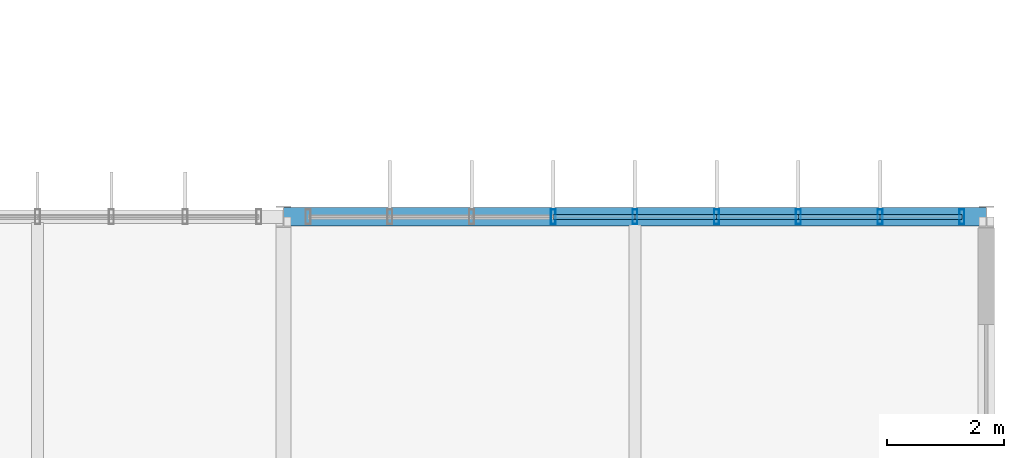
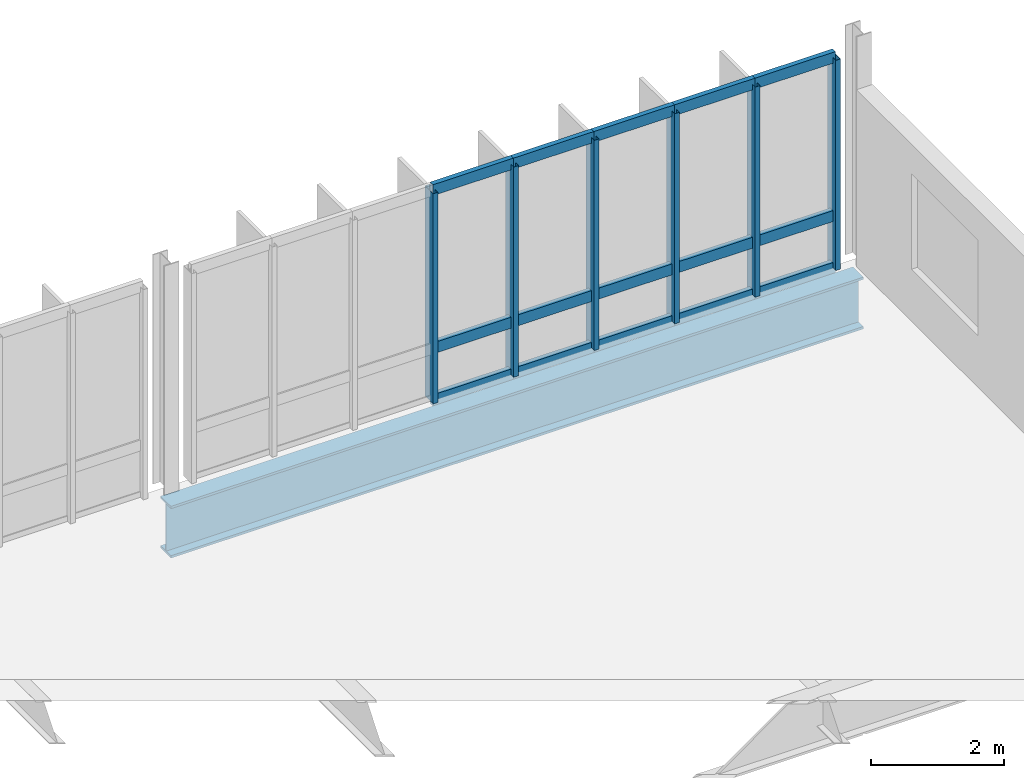
# One storey, part 70 of 107: 21 members, 1 beam, 1 element without a shape of its own.
"""IFC4 building model written with IfcOpenShell, lengths in metres."""

from ifc_helpers import new_model, si_unit, derived_unit, direction, frame, origin, origin_2d, place, context, subcontext, project, spatial, hollow_rectangle, i_section, extrude, material, layer, layer_set, material_profile, profile_set, type_object, element, aggregate, save


model = new_model("IFC4")

# Units and contexts
model_context = context("Model", 3, precision=1e-05, world=origin(), true_north=direction((0.0, 1.0)))
body_context = subcontext(model_context, "Body", "Model", "MODEL_VIEW")
ifc_project = project(units=[si_unit("LENGTHUNIT", "METRE"), si_unit("AREAUNIT", "SQUARE_METRE"), si_unit("VOLUMEUNIT", "CUBIC_METRE"), si_unit("PLANEANGLEUNIT", "RADIAN"), si_unit("MASSUNIT", "GRAM", prefix="KILO"), derived_unit("THERMALTRANSMITTANCEUNIT", [(si_unit("MASSUNIT", "GRAM", prefix="KILO"), 1), (si_unit("TIMEUNIT", "SECOND"), -3), (si_unit("THERMODYNAMICTEMPERATUREUNIT", "KELVIN"), -1)])], contexts=[model_context])

# Site, building, storey
site_placement = place(None, origin())
site = spatial("IfcSite", under=ifc_project, at=site_placement, CompositionType="ELEMENT")
building_placement = place(site_placement, origin())
building = spatial("IfcBuilding", under=site, at=building_placement, Name="Makaiwela Harbour Ferry Terminal", CompositionType="ELEMENT")
storey_placement = place(building_placement, frame((0.0, 0.0, 9.60009765625)))
storey = spatial("IfcBuildingStorey", under=building, at=storey_placement, Name="L02", CompositionType="ELEMENT", Elevation=9.60009765625)

# Curtain wall, members
ifc_material_1 = material(Name="Marine anodised aluminium 6063-T6", Category="aluminium")
ifc_layer = layer(ifc_material_1, 0.199951171875)
ifc_layer_set = layer_set([ifc_layer], Name="Marine anodised aluminium 6063-T6")
curtain_wall_type = type_object("IfcCurtainWallType", Name="ENV-CW-18", PredefinedType="USERDEFINED", material=ifc_layer_set)
curtain_wall_placement = place(storey_placement, origin())
curtain_wall = element("IfcCurtainWall", 1, at=curtain_wall_placement, inside=storey, type_object=curtain_wall_type, Name="Unitised Curtain Wall CWA-130", ObjectType="UNITIZED CURTAIN WALL", PredefinedType="USERDEFINED")
ifc_material_profile_1 = material_profile(ifc_material_1, hollow_rectangle(XDim=0.0849609375, YDim=0.25, WallThickness=0.0048828125, at=origin_2d()), Name="CWM-250X85")
ifc_profile_set_1 = profile_set([ifc_material_profile_1], Name="Marine anodised aluminium 6063-T6")
member_type_1 = type_object("IfcMemberType", Name="CW-MUL-250", PredefinedType="MULLION", material=ifc_profile_set_1)
member_1_placement = place(storey_placement, frame((160.0048828125, 95.0, 0.0), z_axis=(0.0, 0.0, 1.0), x_axis=(1.0, 0.0, 0.0)))
member_1 = element("IfcMember", 2, at=member_1_placement, type_object=member_type_1, Name="Curtain Wall Mullion CWA-130-4", PredefinedType="MULLION", context=body_context, shape_type="SweptSolid", body=[
    extrude(hollow_rectangle(XDim=0.0849609375, YDim=0.25, WallThickness=0.0048828125, at=origin_2d()), origin(), (0.0, 0.0, 1.0), 3.849853515625),
])
member_2_placement = place(storey_placement, frame((161.39990234375, 95.0, 0.0), z_axis=(0.0, 0.0, 1.0), x_axis=(1.0, 0.0, 0.0)))
member_2 = element("IfcMember", 3, at=member_2_placement, type_object=member_type_1, Name="Curtain Wall Mullion CWA-130-5", PredefinedType="MULLION", context=body_context, shape_type="SweptSolid", body=[
    extrude(hollow_rectangle(XDim=0.0849609375, YDim=0.25, WallThickness=0.0048828125, at=origin_2d()), origin(), (0.0, 0.0, 1.0), 3.849853515625),
])
member_3_placement = place(storey_placement, frame((162.794921875, 95.0, 0.0), z_axis=(0.0, 0.0, 1.0), x_axis=(1.0, 0.0, 0.0)))
member_3 = element("IfcMember", 4, at=member_3_placement, type_object=member_type_1, Name="Curtain Wall Mullion CWA-130-6", PredefinedType="MULLION", context=body_context, shape_type="SweptSolid", body=[
    extrude(hollow_rectangle(XDim=0.0849609375, YDim=0.25, WallThickness=0.0048828125, at=origin_2d()), origin(), (0.0, 0.0, 1.0), 3.849853515625),
])
member_4_placement = place(storey_placement, frame((164.18994140625, 95.0, 0.0), z_axis=(0.0, 0.0, 1.0), x_axis=(1.0, 0.0, 0.0)))
member_4 = element("IfcMember", 5, at=member_4_placement, type_object=member_type_1, Name="Curtain Wall Mullion CWA-130-7", PredefinedType="MULLION", context=body_context, shape_type="SweptSolid", body=[
    extrude(hollow_rectangle(XDim=0.0849609375, YDim=0.25, WallThickness=0.0048828125, at=origin_2d()), origin(), (0.0, 0.0, 1.0), 3.849853515625),
])
member_5_placement = place(storey_placement, frame((165.5849609375, 95.0, 0.0), z_axis=(0.0, 0.0, 1.0), x_axis=(1.0, 0.0, 0.0)))
member_5 = element("IfcMember", 6, at=member_5_placement, type_object=member_type_1, Name="Curtain Wall Mullion CWA-130-8", PredefinedType="MULLION", context=body_context, shape_type="SweptSolid", body=[
    extrude(hollow_rectangle(XDim=0.0849609375, YDim=0.25, WallThickness=0.0048828125, at=origin_2d()), origin(), (0.0, 0.0, 1.0), 3.849853515625),
])
member_6_placement = place(storey_placement, frame((166.97998046875, 95.0, 0.0), z_axis=(0.0, 0.0, 1.0), x_axis=(1.0, 0.0, 0.0)))
member_6 = element("IfcMember", 7, at=member_6_placement, type_object=member_type_1, Name="Curtain Wall Mullion CWA-130-9", PredefinedType="MULLION", context=body_context, shape_type="SweptSolid", body=[
    extrude(hollow_rectangle(XDim=0.0849609375, YDim=0.25, WallThickness=0.0048828125, at=origin_2d()), origin(), (0.0, 0.0, 1.0), 3.849853515625),
])
ifc_material_profile_2 = material_profile(ifc_material_1, hollow_rectangle(XDim=0.0849609375, YDim=0.199951171875, WallThickness=0.0048828125, at=origin_2d()), Name="CWT-200X85")
ifc_profile_set_2 = profile_set([ifc_material_profile_2], Name="Marine anodised aluminium 6063-T6")
member_type_2 = type_object("IfcMemberType", Name="CW-TRN-200", PredefinedType="USERDEFINED", material=ifc_profile_set_2)
member_7_placement = place(storey_placement, frame((160.0048828125, 95.0, 0.0), z_axis=(1.0, 0.0, 0.0), x_axis=(0.0, 1.0, 0.0)))
member_7 = element("IfcMember", 8, at=member_7_placement, type_object=member_type_2, Name="Curtain Wall Transom CWA-130-4-1", ObjectType="TRANSOM", PredefinedType="USERDEFINED", context=body_context, shape_type="SweptSolid", body=[
    extrude(hollow_rectangle(XDim=0.0849609375, YDim=0.199951171875, WallThickness=0.0048828125, at=origin_2d()), origin(), (0.0, 0.0, 1.0), 1.39501953125),
])
member_8_placement = place(storey_placement, frame((160.0048828125, 95.0, 0.949951171875), z_axis=(1.0, 0.0, 0.0), x_axis=(0.0, 1.0, 0.0)))
member_8 = element("IfcMember", 9, at=member_8_placement, type_object=member_type_2, Name="Curtain Wall Transom CWA-130-4-2", ObjectType="TRANSOM", PredefinedType="USERDEFINED", context=body_context, shape_type="SweptSolid", body=[
    extrude(hollow_rectangle(XDim=0.0849609375, YDim=0.199951171875, WallThickness=0.0048828125, at=origin_2d()), origin(), (0.0, 0.0, 1.0), 1.39501953125),
])
member_9_placement = place(storey_placement, frame((160.0048828125, 95.0, 3.849853515625), z_axis=(1.0, 0.0, 0.0), x_axis=(0.0, 1.0, 0.0)))
member_9 = element("IfcMember", 10, at=member_9_placement, type_object=member_type_2, Name="Curtain Wall Transom CWA-130-4-3", ObjectType="TRANSOM", PredefinedType="USERDEFINED", context=body_context, shape_type="SweptSolid", body=[
    extrude(hollow_rectangle(XDim=0.0849609375, YDim=0.199951171875, WallThickness=0.0048828125, at=origin_2d()), origin(), (0.0, 0.0, 1.0), 1.39501953125),
])
member_10_placement = place(storey_placement, frame((161.39990234375, 95.0, 0.0), z_axis=(1.0, 0.0, 0.0), x_axis=(0.0, 1.0, 0.0)))
member_10 = element("IfcMember", 11, at=member_10_placement, type_object=member_type_2, Name="Curtain Wall Transom CWA-130-5-1", ObjectType="TRANSOM", PredefinedType="USERDEFINED", context=body_context, shape_type="SweptSolid", body=[
    extrude(hollow_rectangle(XDim=0.0849609375, YDim=0.199951171875, WallThickness=0.0048828125, at=origin_2d()), origin(), (0.0, 0.0, 1.0), 1.39501953125),
])
member_11_placement = place(storey_placement, frame((161.39990234375, 95.0, 0.949951171875), z_axis=(1.0, 0.0, 0.0), x_axis=(0.0, 1.0, 0.0)))
member_11 = element("IfcMember", 12, at=member_11_placement, type_object=member_type_2, Name="Curtain Wall Transom CWA-130-5-2", ObjectType="TRANSOM", PredefinedType="USERDEFINED", context=body_context, shape_type="SweptSolid", body=[
    extrude(hollow_rectangle(XDim=0.0849609375, YDim=0.199951171875, WallThickness=0.0048828125, at=origin_2d()), origin(), (0.0, 0.0, 1.0), 1.39501953125),
])
member_12_placement = place(storey_placement, frame((161.39990234375, 95.0, 3.849853515625), z_axis=(1.0, 0.0, 0.0), x_axis=(0.0, 1.0, 0.0)))
member_12 = element("IfcMember", 13, at=member_12_placement, type_object=member_type_2, Name="Curtain Wall Transom CWA-130-5-3", ObjectType="TRANSOM", PredefinedType="USERDEFINED", context=body_context, shape_type="SweptSolid", body=[
    extrude(hollow_rectangle(XDim=0.0849609375, YDim=0.199951171875, WallThickness=0.0048828125, at=origin_2d()), origin(), (0.0, 0.0, 1.0), 1.39501953125),
])
member_13_placement = place(storey_placement, frame((162.794921875, 95.0, 0.0), z_axis=(1.0, 0.0, 0.0), x_axis=(0.0, 1.0, 0.0)))
member_13 = element("IfcMember", 14, at=member_13_placement, type_object=member_type_2, Name="Curtain Wall Transom CWA-130-6-1", ObjectType="TRANSOM", PredefinedType="USERDEFINED", context=body_context, shape_type="SweptSolid", body=[
    extrude(hollow_rectangle(XDim=0.0849609375, YDim=0.199951171875, WallThickness=0.0048828125, at=origin_2d()), origin(), (0.0, 0.0, 1.0), 1.39501953125),
])
member_14_placement = place(storey_placement, frame((162.794921875, 95.0, 0.949951171875), z_axis=(1.0, 0.0, 0.0), x_axis=(0.0, 1.0, 0.0)))
member_14 = element("IfcMember", 15, at=member_14_placement, type_object=member_type_2, Name="Curtain Wall Transom CWA-130-6-2", ObjectType="TRANSOM", PredefinedType="USERDEFINED", context=body_context, shape_type="SweptSolid", body=[
    extrude(hollow_rectangle(XDim=0.0849609375, YDim=0.199951171875, WallThickness=0.0048828125, at=origin_2d()), origin(), (0.0, 0.0, 1.0), 1.39501953125),
])
member_15_placement = place(storey_placement, frame((162.794921875, 95.0, 3.849853515625), z_axis=(1.0, 0.0, 0.0), x_axis=(0.0, 1.0, 0.0)))
member_15 = element("IfcMember", 16, at=member_15_placement, type_object=member_type_2, Name="Curtain Wall Transom CWA-130-6-3", ObjectType="TRANSOM", PredefinedType="USERDEFINED", context=body_context, shape_type="SweptSolid", body=[
    extrude(hollow_rectangle(XDim=0.0849609375, YDim=0.199951171875, WallThickness=0.0048828125, at=origin_2d()), origin(), (0.0, 0.0, 1.0), 1.39501953125),
])
member_16_placement = place(storey_placement, frame((164.18994140625, 95.0, 0.0), z_axis=(1.0, 0.0, 0.0), x_axis=(0.0, 1.0, 0.0)))
member_16 = element("IfcMember", 17, at=member_16_placement, type_object=member_type_2, Name="Curtain Wall Transom CWA-130-7-1", ObjectType="TRANSOM", PredefinedType="USERDEFINED", context=body_context, shape_type="SweptSolid", body=[
    extrude(hollow_rectangle(XDim=0.0849609375, YDim=0.199951171875, WallThickness=0.0048828125, at=origin_2d()), origin(), (0.0, 0.0, 1.0), 1.39501953125),
])
member_17_placement = place(storey_placement, frame((164.18994140625, 95.0, 0.949951171875), z_axis=(1.0, 0.0, 0.0), x_axis=(0.0, 1.0, 0.0)))
member_17 = element("IfcMember", 18, at=member_17_placement, type_object=member_type_2, Name="Curtain Wall Transom CWA-130-7-2", ObjectType="TRANSOM", PredefinedType="USERDEFINED", context=body_context, shape_type="SweptSolid", body=[
    extrude(hollow_rectangle(XDim=0.0849609375, YDim=0.199951171875, WallThickness=0.0048828125, at=origin_2d()), origin(), (0.0, 0.0, 1.0), 1.39501953125),
])
member_18_placement = place(storey_placement, frame((164.18994140625, 95.0, 3.849853515625), z_axis=(1.0, 0.0, 0.0), x_axis=(0.0, 1.0, 0.0)))
member_18 = element("IfcMember", 19, at=member_18_placement, type_object=member_type_2, Name="Curtain Wall Transom CWA-130-7-3", ObjectType="TRANSOM", PredefinedType="USERDEFINED", context=body_context, shape_type="SweptSolid", body=[
    extrude(hollow_rectangle(XDim=0.0849609375, YDim=0.199951171875, WallThickness=0.0048828125, at=origin_2d()), origin(), (0.0, 0.0, 1.0), 1.39501953125),
])
member_19_placement = place(storey_placement, frame((165.5849609375, 95.0, 0.0), z_axis=(1.0, 0.0, 0.0), x_axis=(0.0, 1.0, 0.0)))
member_19 = element("IfcMember", 20, at=member_19_placement, type_object=member_type_2, Name="Curtain Wall Transom CWA-130-8-1", ObjectType="TRANSOM", PredefinedType="USERDEFINED", context=body_context, shape_type="SweptSolid", body=[
    extrude(hollow_rectangle(XDim=0.0849609375, YDim=0.199951171875, WallThickness=0.0048828125, at=origin_2d()), origin(), (0.0, 0.0, 1.0), 1.39501953125),
])
member_20_placement = place(storey_placement, frame((165.5849609375, 95.0, 0.949951171875), z_axis=(1.0, 0.0, 0.0), x_axis=(0.0, 1.0, 0.0)))
member_20 = element("IfcMember", 21, at=member_20_placement, type_object=member_type_2, Name="Curtain Wall Transom CWA-130-8-2", ObjectType="TRANSOM", PredefinedType="USERDEFINED", context=body_context, shape_type="SweptSolid", body=[
    extrude(hollow_rectangle(XDim=0.0849609375, YDim=0.199951171875, WallThickness=0.0048828125, at=origin_2d()), origin(), (0.0, 0.0, 1.0), 1.39501953125),
])
member_21_placement = place(storey_placement, frame((165.5849609375, 95.0, 3.849853515625), z_axis=(1.0, 0.0, 0.0), x_axis=(0.0, 1.0, 0.0)))
member_21 = element("IfcMember", 22, at=member_21_placement, type_object=member_type_2, Name="Curtain Wall Transom CWA-130-8-3", ObjectType="TRANSOM", PredefinedType="USERDEFINED", context=body_context, shape_type="SweptSolid", body=[
    extrude(hollow_rectangle(XDim=0.0849609375, YDim=0.199951171875, WallThickness=0.0048828125, at=origin_2d()), origin(), (0.0, 0.0, 1.0), 1.39501953125),
])
aggregate(curtain_wall, [member_1, member_2, member_3, member_4, member_5, member_6, member_7, member_8, member_9, member_10, member_11, member_12, member_13, member_14, member_15, member_16, member_17, member_18, member_19, member_20, member_21])

# Beam
ifc_material_2 = material(Name="Steel ASTM A992 Grade 50", Category="steel")
ifc_material_profile_3 = material_profile(ifc_material_2, i_section(OverallWidth=0.31005859375, OverallDepth=0.949951171875, WebThickness=0.0244140625, FlangeThickness=0.0439453125, at=origin_2d()), Name="W36X256")
ifc_profile_set_3 = profile_set([ifc_material_profile_3], Name="Steel ASTM A992 Grade 50")
beam_type = type_object("IfcBeamType", Name="STR-GRD-W36X256", PredefinedType="USERDEFINED", material=ifc_profile_set_3)
beam_placement = place(storey_placement, frame((155.39990234375, 95.0, -0.735107421875), z_axis=(1.0, 0.0, 0.0), x_axis=(0.0, 1.0, 0.0)))
element("IfcBeam", 23, at=beam_placement, inside=storey, type_object=beam_type, Name="Primary X girder 1345", ObjectType="GIRDER", PredefinedType="USERDEFINED", context=body_context, shape_type="SweptSolid", body=[
    extrude(i_section(OverallWidth=0.31005859375, OverallDepth=0.949951171875, WebThickness=0.0244140625, FlangeThickness=0.0439453125, at=origin_2d()), origin(), (0.0, 0.0, 1.0), 12.0),
])

save(model, "model.ifc")
